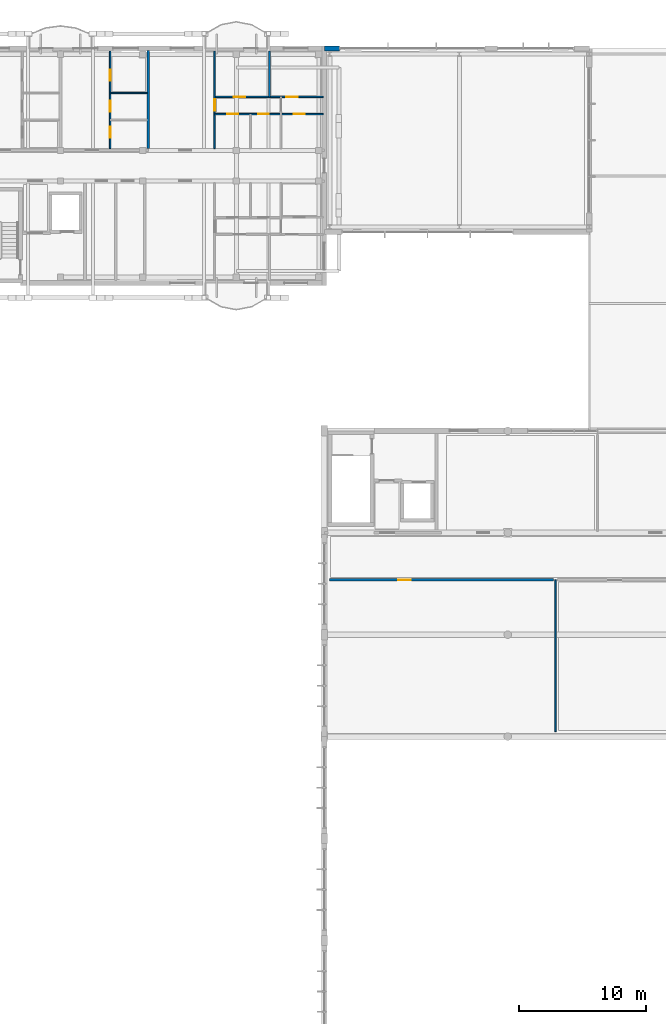
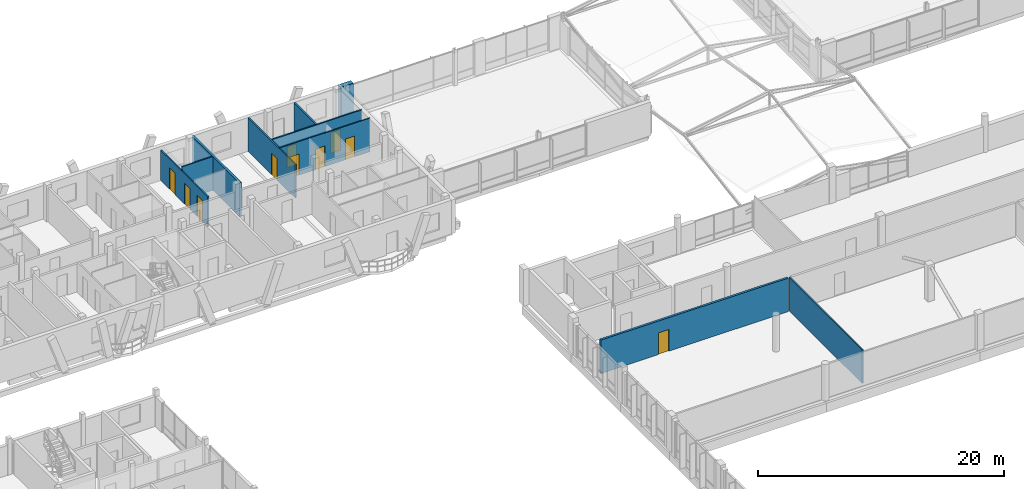
# One storey, part 155 of 189: 10 doors, 10 walls, 10 openings.
"""IFC4 building model written with IfcOpenShell, lengths in metres."""

from ifc_helpers import new_model, si_unit, direction, frame, frame_2d, origin, origin_with_axes, place, context, subcontext, project, spatial, rectangle, extrude, material, layer, layer_set, type_object, element, fill, save


model = new_model("IFC4")

# Units and contexts
model_context = context("Model", 3, precision=1e-05, world=origin(), true_north=direction((0.0, 1.0)))
body_context = subcontext(model_context, "Body", "Model", "MODEL_VIEW")
ifc_project = project(units=[si_unit("LENGTHUNIT", "METRE"), si_unit("AREAUNIT", "SQUARE_METRE"), si_unit("VOLUMEUNIT", "CUBIC_METRE"), si_unit("PLANEANGLEUNIT", "RADIAN"), si_unit("MASSUNIT", "GRAM", prefix="KILO")], contexts=[model_context])

# Site, building, storey
site_placement = place(None, origin())
site = spatial("IfcSite", under=ifc_project, at=site_placement, CompositionType="ELEMENT")
building_placement = place(site_placement, origin())
building = spatial("IfcBuilding", under=site, at=building_placement, Name="Zavelmont Quarter", CompositionType="ELEMENT")
storey_placement = place(building_placement, frame((0.0, 0.0, 4.39990234375)))
storey = spatial("IfcBuildingStorey", under=building, at=storey_placement, Name="L01", CompositionType="ELEMENT", Elevation=4.39990234375)

# Wall
ifc_material_1 = material(Name="Natural Belgian limestone", Category="masonry")
ifc_layer_1 = layer(ifc_material_1, 0.419921875)
ifc_layer_set_1 = layer_set([ifc_layer_1], Name="Natural Belgian limestone")
wall_type_1 = type_object("IfcWallType", Name="EW04", PredefinedType="STANDARD", material=ifc_layer_set_1)
wall_1_placement = place(storey_placement, frame((55.199951171875, 116.0, 0.0), z_axis=(0.0, 0.0, 1.0), x_axis=(1.0, 0.0, 0.0)))
element("IfcWall", 1, at=wall_1_placement, inside=storey, type_object=wall_type_1, Name="L01 exterior limestone wall EW04", PredefinedType="STANDARD", context=body_context, shape_type="SweptSolid", body=[
    extrude(rectangle(XDim=1.199951171875, YDim=0.419921875, at=frame_2d((0.60009765625, 0.0))), origin(), (0.0, 0.0, 1.0), 3.31005859375),
])

# Wall, opening, door
ifc_material_2 = material(Name="Calcium-silicate blockwork and acoustic plaster", Category="masonry")
ifc_layer_2 = layer(ifc_material_2, 0.199951171875)
ifc_layer_set_2 = layer_set([ifc_layer_2], Name="Calcium-silicate blockwork and acoustic plaster")
wall_type_2 = type_object("IfcWallType", Name="IW01", PredefinedType="PARTITIONING", material=ifc_layer_set_2)
wall_2_placement = place(storey_placement, frame((55.60009765625, 74.300048828125, 0.0), z_axis=(0.0, 0.0, 1.0), x_axis=(1.0, 0.0, 0.0)))
wall_2 = element("IfcWall", 2, at=wall_2_placement, inside=storey, type_object=wall_type_2, Name="L01 Interior partition IW01", PredefinedType="PARTITIONING", context=body_context, shape_type="SweptSolid", body=[
    extrude(rectangle(XDim=17.599853515625, YDim=0.199951171875, at=frame_2d((8.7998046875, 0.0))), origin(), (0.0, 0.0, 1.0), 3.330078125),
])
opening_1_placement = place(wall_2_placement, frame((5.39990234375, 0.0, 0.0)))
opening_1 = element("IfcOpeningElement", 3, at=opening_1_placement, cuts=wall_2, Name="Opening DR07", PredefinedType="OPENING", context=body_context, shape_type="SweptSolid", body=[
    extrude(rectangle(XDim=1.0, YDim=2.14990234375, at=frame_2d((0.5, 1.074951171875))), frame((0.0, 0.11181640625, 0.0), z_axis=(0.0, -1.0, 0.0), x_axis=(1.0, 0.0, 0.0)), (0.0, 0.0, 1.0), 0.223876953125),
])
ifc_material_3 = material(Name="Solid-core oak fire leaf in steel frame", Category="steel")
door_type_1 = type_object("IfcDoorType", Name="DR07", OperationType="NOTDEFINED", PredefinedType="DOOR", material=ifc_material_3)
door_1_placement = place(opening_1_placement, origin_with_axes())
door_1 = element("IfcDoor", 4, at=door_1_placement, inside=storey, type_object=door_type_1, Name="L01 door DR07", OperationType="SINGLE_SWING_LEFT", OverallHeight=2.14990234375, OverallWidth=1.0, PredefinedType="DOOR", context=body_context, shape_type="SweptSolid", body=[
    extrude(rectangle(XDim=1.0, YDim=2.14990234375, at=frame_2d((0.5, 1.074951171875))), frame((0.0, 0.02490234375, 0.0), z_axis=(0.0, -1.0, 0.0), x_axis=(1.0, 0.0, 0.0)), (0.0, 0.0, 1.0), 0.050048828125),
])
fill(opening_1, door_1)

# Walls
wall_3_placement = place(storey_placement, frame((41.39990234375, 108.14990234375, 0.0), z_axis=(0.0, 0.0, 1.0), x_axis=(0.0, 1.0, 0.0)))
element("IfcWall", 5, at=wall_3_placement, inside=storey, type_object=wall_type_2, Name="L01 Inter-dwelling compartment wall IW01", PredefinedType="PARTITIONING", context=body_context, shape_type="SweptSolid", body=[
    extrude(rectangle(XDim=7.7001953125, YDim=0.199951171875, at=frame_2d((3.85009765625, 0.0))), origin(), (0.0, 0.0, 1.0), 3.330078125),
])
ifc_material_4 = material(Name="Double gypsum board on acoustic steel stud", Category="steel")
ifc_layer_3 = layer(ifc_material_4, 0.125)
ifc_layer_set_3 = layer_set([ifc_layer_3], Name="Double gypsum board on acoustic steel stud")
wall_type_3 = type_object("IfcWallType", Name="IW03", PredefinedType="PARTITIONING", material=ifc_layer_set_3)
wall_4_placement = place(storey_placement, frame((73.35009765625, 62.39990234375, 0.0), z_axis=(0.0, 0.0, 1.0), x_axis=(0.0, 1.0, 0.0)))
element("IfcWall", 6, at=wall_4_placement, inside=storey, type_object=wall_type_3, Name="L01 Interior partition IW03", PredefinedType="PARTITIONING", context=body_context, shape_type="SweptSolid", body=[
    extrude(rectangle(XDim=11.900146484375, YDim=0.125, at=frame_2d((5.9501953125, 0.0))), origin(), (0.0, 0.0, 1.0), 3.330078125),
])

# Wall, openings, doors
wall_5_placement = place(storey_placement, frame((38.39990234375, 108.14990234375, 0.0), z_axis=(0.0, 0.0, 1.0), x_axis=(0.0, 1.0, 0.0)))
wall_5 = element("IfcWall", 7, at=wall_5_placement, inside=storey, type_object=wall_type_3, Name="L01 Partition IW03", PredefinedType="PARTITIONING", context=body_context, shape_type="SweptSolid", body=[
    extrude(rectangle(XDim=7.650146484375, YDim=0.125, at=frame_2d((3.8251953125, 0.0))), origin(), (0.0, 0.0, 1.0), 2.989990234375),
])
opening_2_placement = place(wall_5_placement, frame((0.85009765625, 0.0, 0.0)))
opening_2 = element("IfcOpeningElement", 8, at=opening_2_placement, cuts=wall_5, Name="Opening DR16", PredefinedType="OPENING", context=body_context, shape_type="SweptSolid", body=[
    extrude(rectangle(XDim=0.85009765625, YDim=2.10009765625, at=frame_2d((0.425048828125, 1.050048828125))), frame((0.0, 0.074462890625, 0.0), z_axis=(0.0, -1.0, 0.0), x_axis=(1.0, 0.0, 0.0)), (0.0, 0.0, 1.0), 0.14892578125),
])
opening_3_placement = place(wall_5_placement, frame((2.89990234375, 0.0, 0.0)))
opening_3 = element("IfcOpeningElement", 9, at=opening_3_placement, cuts=wall_5, Name="Opening DR06", PredefinedType="OPENING", context=body_context, shape_type="SweptSolid", body=[
    extrude(rectangle(XDim=0.85009765625, YDim=2.050048828125, at=frame_2d((0.425048828125, 1.02490234375))), frame((0.0, 0.074462890625, 0.0), z_axis=(0.0, -1.0, 0.0), x_axis=(1.0, 0.0, 0.0)), (0.0, 0.0, 1.0), 0.14892578125),
])
opening_4_placement = place(wall_5_placement, frame((5.300048828125, 0.0, 0.0)))
opening_4 = element("IfcOpeningElement", 10, at=opening_4_placement, cuts=wall_5, Name="Opening DR05", PredefinedType="OPENING", context=body_context, shape_type="SweptSolid", body=[
    extrude(rectangle(XDim=0.89990234375, YDim=2.10009765625, at=frame_2d((0.449951171875, 1.050048828125))), frame((0.0, 0.074462890625, 0.0), z_axis=(0.0, -1.0, 0.0), x_axis=(1.0, 0.0, 0.0)), (0.0, 0.0, 1.0), 0.14892578125),
])
ifc_material_5 = material(Name="Engineered oak flush interior door")
door_type_2 = type_object("IfcDoorType", Name="DR05", OperationType="NOTDEFINED", PredefinedType="DOOR", material=ifc_material_5)
door_2_placement = place(opening_4_placement, origin_with_axes())
door_2 = element("IfcDoor", 11, at=door_2_placement, inside=storey, type_object=door_type_2, Name="L01 door DR05", OperationType="SINGLE_SWING_LEFT", OverallHeight=2.10009765625, OverallWidth=0.89990234375, PredefinedType="DOOR", context=body_context, shape_type="SweptSolid", body=[
    extrude(rectangle(XDim=0.89990234375, YDim=2.10009765625, at=frame_2d((0.449951171875, 1.050048828125))), frame((0.0, 0.02490234375, 0.0), z_axis=(0.0, -1.0, 0.0), x_axis=(1.0, 0.0, 0.0)), (0.0, 0.0, 1.0), 0.050048828125),
])
fill(opening_4, door_2)
ifc_material_6 = material(Name="Moisture-resistant painted wet-room door")
door_type_3 = type_object("IfcDoorType", Name="DR06", OperationType="NOTDEFINED", PredefinedType="DOOR", material=ifc_material_6)
door_3_placement = place(opening_3_placement, frame((0.85009765625, 0.0, 0.0), z_axis=(0.0, 0.0, 1.0), x_axis=(-1.0, 0.0, 0.0)))
door_3 = element("IfcDoor", 12, at=door_3_placement, inside=storey, type_object=door_type_3, Name="L01 door DR06", OperationType="SINGLE_SWING_RIGHT", OverallHeight=2.050048828125, OverallWidth=0.85009765625, PredefinedType="DOOR", context=body_context, shape_type="SweptSolid", body=[
    extrude(rectangle(XDim=0.85009765625, YDim=2.050048828125, at=frame_2d((0.425048828125, 1.02490234375))), frame((0.0, 0.02490234375, 0.0), z_axis=(0.0, -1.0, 0.0), x_axis=(1.0, 0.0, 0.0)), (0.0, 0.0, 1.0), 0.050048828125),
])
fill(opening_3, door_3)
door_type_4 = type_object("IfcDoorType", Name="DR16", OperationType="NOTDEFINED", PredefinedType="DOOR", material=ifc_material_5)
door_4_placement = place(opening_2_placement, origin_with_axes())
door_4 = element("IfcDoor", 13, at=door_4_placement, inside=storey, type_object=door_type_4, Name="L01 door DR16", OperationType="SINGLE_SWING_LEFT", OverallHeight=2.10009765625, OverallWidth=0.85009765625, PredefinedType="DOOR", context=body_context, shape_type="SweptSolid", body=[
    extrude(rectangle(XDim=0.85009765625, YDim=2.10009765625, at=frame_2d((0.425048828125, 1.050048828125))), frame((0.0, 0.02490234375, 0.0), z_axis=(0.0, -1.0, 0.0), x_axis=(1.0, 0.0, 0.0)), (0.0, 0.0, 1.0), 0.050048828125),
])
fill(opening_2, door_4)

# Wall, opening, door
wall_6_placement = place(storey_placement, frame((46.60009765625, 108.14990234375, 0.0), z_axis=(0.0, 0.0, 1.0), x_axis=(0.0, 1.0, 0.0)))
wall_6 = element("IfcWall", 14, at=wall_6_placement, inside=storey, type_object=wall_type_3, Name="L01 Partition IW03", PredefinedType="PARTITIONING", context=body_context, shape_type="SweptSolid", body=[
    extrude(rectangle(XDim=7.650146484375, YDim=0.125, at=frame_2d((3.8251953125, 0.0))), origin(), (0.0, 0.0, 1.0), 3.330078125),
])
opening_5_placement = place(wall_6_placement, frame((2.949951171875, 0.0, 0.0)))
opening_5 = element("IfcOpeningElement", 15, at=opening_5_placement, cuts=wall_6, Name="Opening DR05", PredefinedType="OPENING", context=body_context, shape_type="SweptSolid", body=[
    extrude(rectangle(XDim=0.89990234375, YDim=2.10009765625, at=frame_2d((0.449951171875, 1.050048828125))), frame((0.0, 0.074462890625, 0.0), z_axis=(0.0, -1.0, 0.0), x_axis=(1.0, 0.0, 0.0)), (0.0, 0.0, 1.0), 0.14892578125),
])
door_5_placement = place(opening_5_placement, origin_with_axes())
door_5 = element("IfcDoor", 16, at=door_5_placement, inside=storey, type_object=door_type_2, Name="L01 door DR05", OperationType="SINGLE_SWING_RIGHT", OverallHeight=2.10009765625, OverallWidth=0.89990234375, PredefinedType="DOOR", context=body_context, shape_type="SweptSolid", body=[
    extrude(rectangle(XDim=0.89990234375, YDim=2.10009765625, at=frame_2d((0.449951171875, 1.050048828125))), frame((0.0, 0.02490234375, 0.0), z_axis=(0.0, -1.0, 0.0), x_axis=(1.0, 0.0, 0.0)), (0.0, 0.0, 1.0), 0.050048828125),
])
fill(opening_5, door_5)

# Wall
wall_7_placement = place(storey_placement, frame((50.89990234375, 112.199951171875, 0.0), z_axis=(0.0, 0.0, 1.0), x_axis=(0.0, 1.0, 0.0)))
element("IfcWall", 17, at=wall_7_placement, inside=storey, type_object=wall_type_3, Name="L01 Partition IW03", PredefinedType="PARTITIONING", context=body_context, shape_type="SweptSolid", body=[
    extrude(rectangle(XDim=3.60009765625, YDim=0.125, at=frame_2d((1.800048828125, 0.0))), origin(), (0.0, 0.0, 1.0), 3.330078125),
])

# Wall, openings, doors
wall_8_placement = place(storey_placement, frame((46.60009765625, 112.199951171875, 0.0), z_axis=(0.0, 0.0, 1.0), x_axis=(1.0, 0.0, 0.0)))
wall_8 = element("IfcWall", 18, at=wall_8_placement, inside=storey, type_object=wall_type_3, Name="L01 Partition IW03", PredefinedType="PARTITIONING", context=body_context, shape_type="SweptSolid", body=[
    extrude(rectangle(XDim=8.5, YDim=0.125, at=frame_2d((4.25, 0.0))), origin(), (0.0, 0.0, 1.0), 3.330078125),
])
opening_6_placement = place(wall_8_placement, frame((1.5, 0.0, 0.0)))
opening_6 = element("IfcOpeningElement", 19, at=opening_6_placement, cuts=wall_8, Name="Opening DR05", PredefinedType="OPENING", context=body_context, shape_type="SweptSolid", body=[
    extrude(rectangle(XDim=0.89990234375, YDim=2.10009765625, at=frame_2d((0.449951171875, 1.050048828125))), frame((0.0, 0.074462890625, 0.0), z_axis=(0.0, -1.0, 0.0), x_axis=(1.0, 0.0, 0.0)), (0.0, 0.0, 1.0), 0.14892578125),
])
opening_7_placement = place(wall_8_placement, frame((5.60009765625, 0.0, 0.0)))
opening_7 = element("IfcOpeningElement", 20, at=opening_7_placement, cuts=wall_8, Name="Opening DR05", PredefinedType="OPENING", context=body_context, shape_type="SweptSolid", body=[
    extrude(rectangle(XDim=0.89990234375, YDim=2.10009765625, at=frame_2d((0.449951171875, 1.050048828125))), frame((0.0, 0.074462890625, 0.0), z_axis=(0.0, -1.0, 0.0), x_axis=(1.0, 0.0, 0.0)), (0.0, 0.0, 1.0), 0.14892578125),
])
door_6_placement = place(opening_6_placement, frame((0.89990234375, 0.0, 0.0), z_axis=(0.0, 0.0, 1.0), x_axis=(-1.0, 0.0, 0.0)))
door_6 = element("IfcDoor", 21, at=door_6_placement, inside=storey, type_object=door_type_2, Name="L01 door DR05", OperationType="SINGLE_SWING_LEFT", OverallHeight=2.10009765625, OverallWidth=0.89990234375, PredefinedType="DOOR", context=body_context, shape_type="SweptSolid", body=[
    extrude(rectangle(XDim=0.89990234375, YDim=2.10009765625, at=frame_2d((0.449951171875, 1.050048828125))), frame((0.0, 0.02490234375, 0.0), z_axis=(0.0, -1.0, 0.0), x_axis=(1.0, 0.0, 0.0)), (0.0, 0.0, 1.0), 0.050048828125),
])
fill(opening_6, door_6)
door_7_placement = place(opening_7_placement, origin_with_axes())
door_7 = element("IfcDoor", 22, at=door_7_placement, inside=storey, type_object=door_type_2, Name="L01 door DR05", OperationType="SINGLE_SWING_RIGHT", OverallHeight=2.10009765625, OverallWidth=0.89990234375, PredefinedType="DOOR", context=body_context, shape_type="SweptSolid", body=[
    extrude(rectangle(XDim=0.89990234375, YDim=2.10009765625, at=frame_2d((0.449951171875, 1.050048828125))), frame((0.0, 0.02490234375, 0.0), z_axis=(0.0, -1.0, 0.0), x_axis=(1.0, 0.0, 0.0)), (0.0, 0.0, 1.0), 0.050048828125),
])
fill(opening_7, door_7)

# Wall
ifc_material_7 = material(Name="Moisture-resistant gypsum board on steel stud", Category="steel")
ifc_layer_4 = layer(ifc_material_7, 0.10009765625)
ifc_layer_set_4 = layer_set([ifc_layer_4], Name="Moisture-resistant gypsum board on steel stud")
wall_type_4 = type_object("IfcWallType", Name="IW04", PredefinedType="PARTITIONING", material=ifc_layer_set_4)
wall_9_placement = place(storey_placement, frame((38.39990234375, 112.5, 0.0), z_axis=(0.0, 0.0, 1.0), x_axis=(1.0, 0.0, 0.0)))
element("IfcWall", 23, at=wall_9_placement, inside=storey, type_object=wall_type_4, Name="L01 Partition IW04", PredefinedType="PARTITIONING", context=body_context, shape_type="SweptSolid", body=[
    extrude(rectangle(XDim=2.900146484375, YDim=0.10009765625, at=frame_2d((1.4501953125, 0.0))), origin(), (0.0, 0.0, 1.0), 3.330078125),
])

# Wall, openings, doors
wall_10_placement = place(storey_placement, frame((46.60009765625, 110.85009765625, 0.0), z_axis=(0.0, 0.0, 1.0), x_axis=(1.0, 0.0, 0.0)))
wall_10 = element("IfcWall", 24, at=wall_10_placement, inside=storey, type_object=wall_type_4, Name="L01 Partition IW04", PredefinedType="PARTITIONING", context=body_context, shape_type="SweptSolid", body=[
    extrude(rectangle(XDim=8.5, YDim=0.10009765625, at=frame_2d((4.25, 0.0))), origin(), (0.0, 0.0, 1.0), 3.330078125),
])
opening_8_placement = place(wall_10_placement, frame((1.0, 0.0, 0.0)))
opening_8 = element("IfcOpeningElement", 25, at=opening_8_placement, cuts=wall_10, Name="Opening DR16", PredefinedType="OPENING", context=body_context, shape_type="SweptSolid", body=[
    extrude(rectangle(XDim=0.85009765625, YDim=2.10009765625, at=frame_2d((0.425048828125, 1.050048828125))), frame((0.0, 0.06201171875, 0.0), z_axis=(0.0, -1.0, 0.0), x_axis=(1.0, 0.0, 0.0)), (0.0, 0.0, 1.0), 0.1240234375),
])
opening_9_placement = place(wall_10_placement, frame((3.39990234375, 0.0, 0.0)))
opening_9 = element("IfcOpeningElement", 26, at=opening_9_placement, cuts=wall_10, Name="Opening DR06", PredefinedType="OPENING", context=body_context, shape_type="SweptSolid", body=[
    extrude(rectangle(XDim=0.85009765625, YDim=2.050048828125, at=frame_2d((0.425048828125, 1.02490234375))), frame((0.0, 0.06201171875, 0.0), z_axis=(0.0, -1.0, 0.0), x_axis=(1.0, 0.0, 0.0)), (0.0, 0.0, 1.0), 0.1240234375),
])
opening_10_placement = place(wall_10_placement, frame((6.199951171875, 0.0, 0.0)))
opening_10 = element("IfcOpeningElement", 27, at=opening_10_placement, cuts=wall_10, Name="Opening DR06", PredefinedType="OPENING", context=body_context, shape_type="SweptSolid", body=[
    extrude(rectangle(XDim=0.85009765625, YDim=2.050048828125, at=frame_2d((0.425048828125, 1.02490234375))), frame((0.0, 0.06201171875, 0.0), z_axis=(0.0, -1.0, 0.0), x_axis=(1.0, 0.0, 0.0)), (0.0, 0.0, 1.0), 0.1240234375),
])
door_8_placement = place(opening_9_placement, frame((0.85009765625, 0.0, 0.0), z_axis=(0.0, 0.0, 1.0), x_axis=(-1.0, 0.0, 0.0)))
door_8 = element("IfcDoor", 28, at=door_8_placement, inside=storey, type_object=door_type_3, Name="L01 door DR06", OperationType="SINGLE_SWING_LEFT", OverallHeight=2.050048828125, OverallWidth=0.85009765625, PredefinedType="DOOR", context=body_context, shape_type="SweptSolid", body=[
    extrude(rectangle(XDim=0.85009765625, YDim=2.050048828125, at=frame_2d((0.425048828125, 1.02490234375))), frame((0.0, 0.02490234375, 0.0), z_axis=(0.0, -1.0, 0.0), x_axis=(1.0, 0.0, 0.0)), (0.0, 0.0, 1.0), 0.050048828125),
])
fill(opening_9, door_8)
door_9_placement = place(opening_10_placement, origin_with_axes())
door_9 = element("IfcDoor", 29, at=door_9_placement, inside=storey, type_object=door_type_3, Name="L01 door DR06", OperationType="SINGLE_SWING_RIGHT", OverallHeight=2.050048828125, OverallWidth=0.85009765625, PredefinedType="DOOR", context=body_context, shape_type="SweptSolid", body=[
    extrude(rectangle(XDim=0.85009765625, YDim=2.050048828125, at=frame_2d((0.425048828125, 1.02490234375))), frame((0.0, 0.02490234375, 0.0), z_axis=(0.0, -1.0, 0.0), x_axis=(1.0, 0.0, 0.0)), (0.0, 0.0, 1.0), 0.050048828125),
])
fill(opening_10, door_9)
door_10_placement = place(opening_8_placement, origin_with_axes())
door_10 = element("IfcDoor", 30, at=door_10_placement, inside=storey, type_object=door_type_4, Name="L01 door DR16", OperationType="SINGLE_SWING_RIGHT", OverallHeight=2.10009765625, OverallWidth=0.85009765625, PredefinedType="DOOR", context=body_context, shape_type="SweptSolid", body=[
    extrude(rectangle(XDim=0.85009765625, YDim=2.10009765625, at=frame_2d((0.425048828125, 1.050048828125))), frame((0.0, 0.02490234375, 0.0), z_axis=(0.0, -1.0, 0.0), x_axis=(1.0, 0.0, 0.0)), (0.0, 0.0, 1.0), 0.050048828125),
])
fill(opening_8, door_10)

save(model, "model.ifc")
